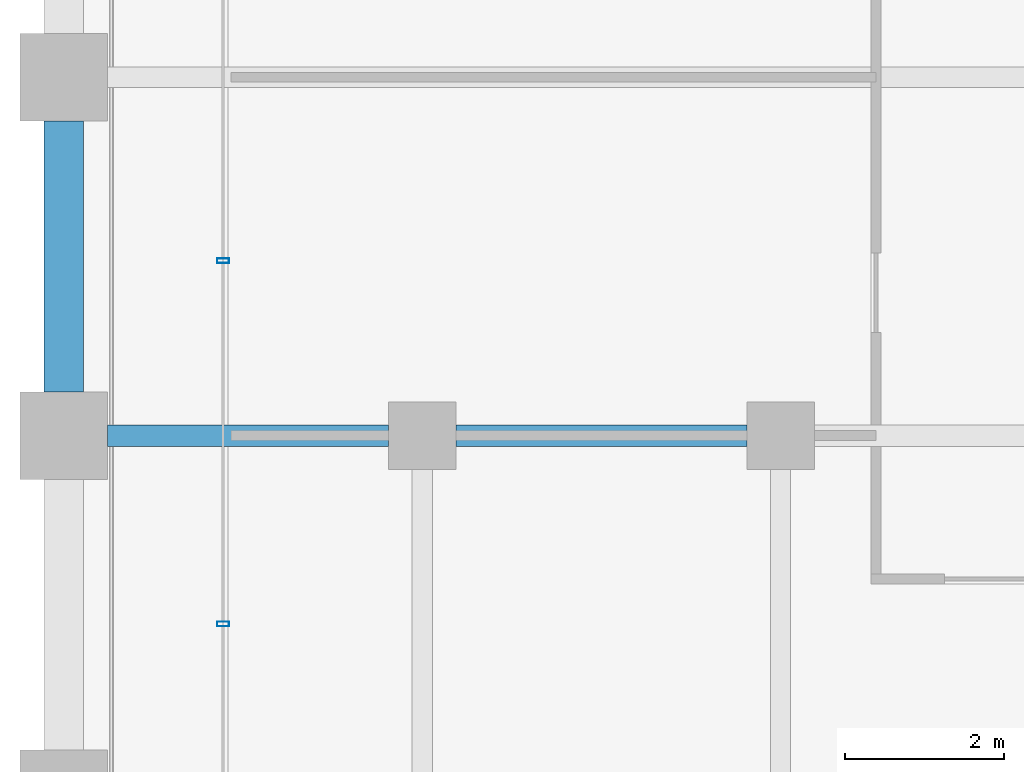
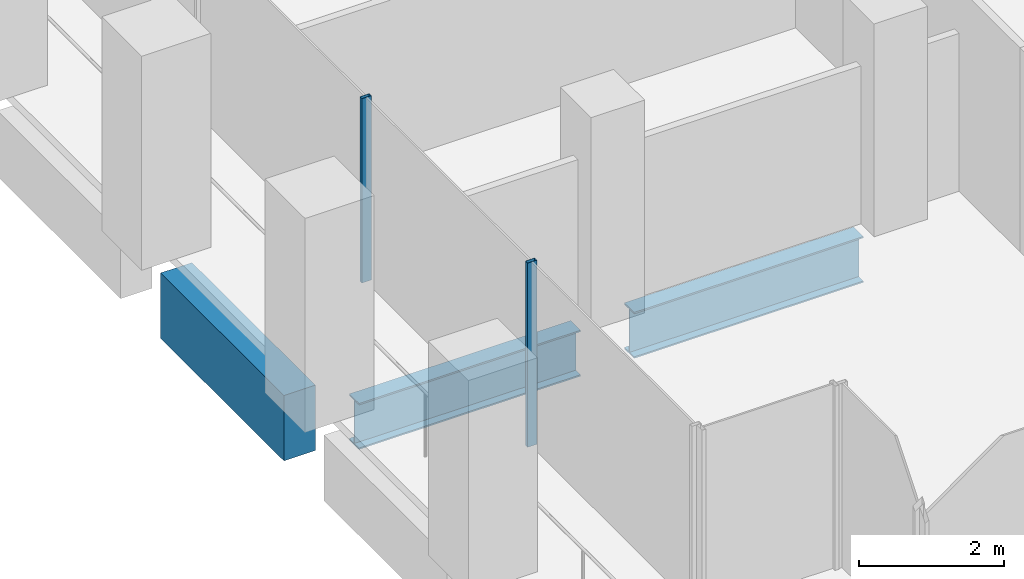
# One storey, part 5 of 56: 3 beams, 2 members, 1 element without a shape of its own.
"""IFC4 building model written with IfcOpenShell, lengths in metres."""

from ifc_helpers import new_model, si_unit, direction, frame, origin, origin_2d, place, context, subcontext, project, spatial, rectangle, hollow_rectangle, i_section, extrude, material, material_profile, profile_set, type_object, element, aggregate, save


model = new_model("IFC4")

# Units and contexts
model_context = context("Model", 3, precision=1e-05, world=origin(), true_north=direction((0.0, 1.0)))
body_context = subcontext(model_context, "Body", "Model", "MODEL_VIEW")
ifc_project = project(units=[si_unit("LENGTHUNIT", "METRE"), si_unit("AREAUNIT", "SQUARE_METRE"), si_unit("VOLUMEUNIT", "CUBIC_METRE"), si_unit("PLANEANGLEUNIT", "RADIAN"), si_unit("MASSUNIT", "GRAM", prefix="KILO")], contexts=[model_context])

# Site, building, storey
site_placement = place(None, origin())
site = spatial("IfcSite", under=ifc_project, at=site_placement, CompositionType="ELEMENT")
building_placement = place(site_placement, origin())
building = spatial("IfcBuilding", under=site, at=building_placement, Name="Altepetl Exchange Towers", CompositionType="ELEMENT")
storey_placement = place(building_placement, frame((0.0, 0.0, 72.60009765625)))
storey = spatial("IfcBuildingStorey", under=building, at=storey_placement, Name="L17", CompositionType="ELEMENT", Elevation=72.60009765625)

# Beams
ifc_material_1 = material(Name="Steel S355", Category="steel")
ifc_material_profile_1 = material_profile(ifc_material_1, i_section(OverallWidth=0.26806640625, OverallDepth=0.77392578125, WebThickness=0.015380859375, FlangeThickness=0.025390625, at=origin_2d()), Name="W30X132")
ifc_profile_set_1 = profile_set([ifc_material_profile_1], Name="Steel S355")
beam_type_1 = type_object("IfcBeamType", Name="Girder W30X132", PredefinedType="BEAM", material=ifc_profile_set_1)
beam_1_placement = place(storey_placement, frame((35.574951171875, 40.5, -0.537109375), z_axis=(-1.0, 0.0, 0.0), x_axis=(0.0, -1.0, 0.0)))
element("IfcBeam", 1, at=beam_1_placement, inside=storey, type_object=beam_type_1, Name="gd:A:L17:010", PredefinedType="BEAM", context=body_context, shape_type="SweptSolid", body=[
    extrude(i_section(OverallWidth=0.26806640625, OverallDepth=0.77392578125, WebThickness=0.015380859375, FlangeThickness=0.025390625, at=origin_2d()), origin(), (0.0, 0.0, 1.0), 3.64990234375),
])
beam_2_placement = place(storey_placement, frame((31.074951171875, 40.5, -0.537109375), z_axis=(-1.0, 0.0, 0.0), x_axis=(0.0, -1.0, 0.0)))
element("IfcBeam", 2, at=beam_2_placement, inside=storey, type_object=beam_type_1, Name="gd:A:L17:011", PredefinedType="BEAM", context=body_context, shape_type="SweptSolid", body=[
    extrude(i_section(OverallWidth=0.26806640625, OverallDepth=0.77392578125, WebThickness=0.015380859375, FlangeThickness=0.025390625, at=origin_2d()), origin(), (0.0, 0.0, 1.0), 3.52490234375),
])

# Curtain wall, members
ifc_material_2 = material(Name="Aluminium 6063-T6 glazing", Category="aluminium")
curtain_wall_type = type_object("IfcCurtainWallType", Name="Loggia glazing system", PredefinedType="NOTDEFINED", material=ifc_material_2)
curtain_wall_placement = place(storey_placement, origin())
curtain_wall = element("IfcCurtainWall", 3, at=curtain_wall_placement, inside=storey, type_object=curtain_wall_type, Name="CW1 run", PredefinedType="NOTDEFINED")
ifc_material_3 = material(Name="Aluminium 6063-T6", Category="aluminium")
ifc_material_profile_2 = material_profile(ifc_material_3, hollow_rectangle(XDim=0.06005859375, YDim=0.14990234375, WallThickness=0.0029296875, at=origin_2d()), Name="Mullion 60x150 aluminium")
ifc_profile_set_2 = profile_set([ifc_material_profile_2], Name="Aluminium 6063-T6")
member_type = type_object("IfcMemberType", Name="Mullion 60x150 aluminium", PredefinedType="MULLION", material=ifc_profile_set_2)
member_1_placement = place(storey_placement, frame((29.0, 42.696533203125, 0.0), z_axis=(0.0, 0.0, 1.0), x_axis=(0.0, -1.0, 0.0)))
member_1 = element("IfcMember", 4, at=member_1_placement, type_object=member_type, Name="MU1 mullion", PredefinedType="MULLION", context=body_context, shape_type="SweptSolid", body=[
    extrude(hollow_rectangle(XDim=0.06005859375, YDim=0.14990234375, WallThickness=0.0029296875, at=origin_2d()), origin(), (0.0, 0.0, 1.0), 3.099853515625),
])
member_2_placement = place(storey_placement, frame((29.0, 38.1357421875, 0.0), z_axis=(0.0, 0.0, 1.0), x_axis=(0.0, -1.0, 0.0)))
member_2 = element("IfcMember", 5, at=member_2_placement, type_object=member_type, Name="MU1 mullion", PredefinedType="MULLION", context=body_context, shape_type="SweptSolid", body=[
    extrude(hollow_rectangle(XDim=0.06005859375, YDim=0.14990234375, WallThickness=0.0029296875, at=origin_2d()), origin(), (0.0, 0.0, 1.0), 3.099853515625),
])
aggregate(curtain_wall, [member_1, member_2])

# Beam
ifc_material_4 = material(Name="Concrete C50/60 precast with tezontle facing", Category="concrete")
ifc_material_profile_3 = material_profile(ifc_material_4, rectangle(XDim=0.5, YDim=1.10009765625, at=origin_2d()), Name="500 x 1100")
ifc_profile_set_3 = profile_set([ifc_material_profile_3], Name="Concrete C50/60 precast with tezontle facing")
beam_type_2 = type_object("IfcBeamType", Name="Spandrel beam 500x1100 tezontle", PredefinedType="SPANDREL", material=ifc_profile_set_3)
beam_3_placement = place(storey_placement, frame((27.0, 44.449951171875, -0.7001953125), z_axis=(0.0, -1.0, 0.0), x_axis=(1.0, 0.0, 0.0)))
element("IfcBeam", 6, at=beam_3_placement, inside=storey, type_object=beam_type_2, Name="sp:A:L17:041", PredefinedType="SPANDREL", context=body_context, shape_type="SweptSolid", body=[
    extrude(rectangle(XDim=0.5, YDim=1.10009765625, at=origin_2d()), origin(), (0.0, 0.0, 1.0), 3.39990234375),
])

save(model, "model.ifc")
